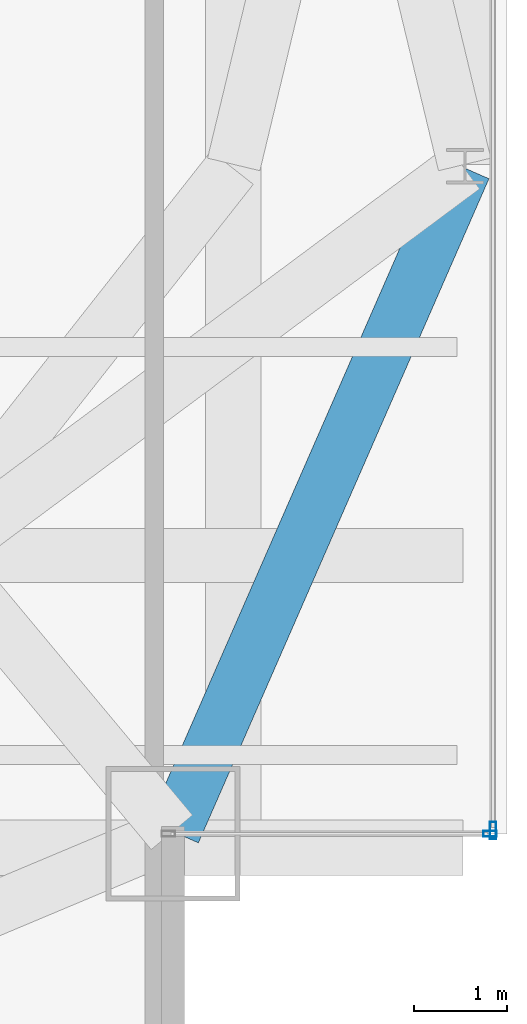
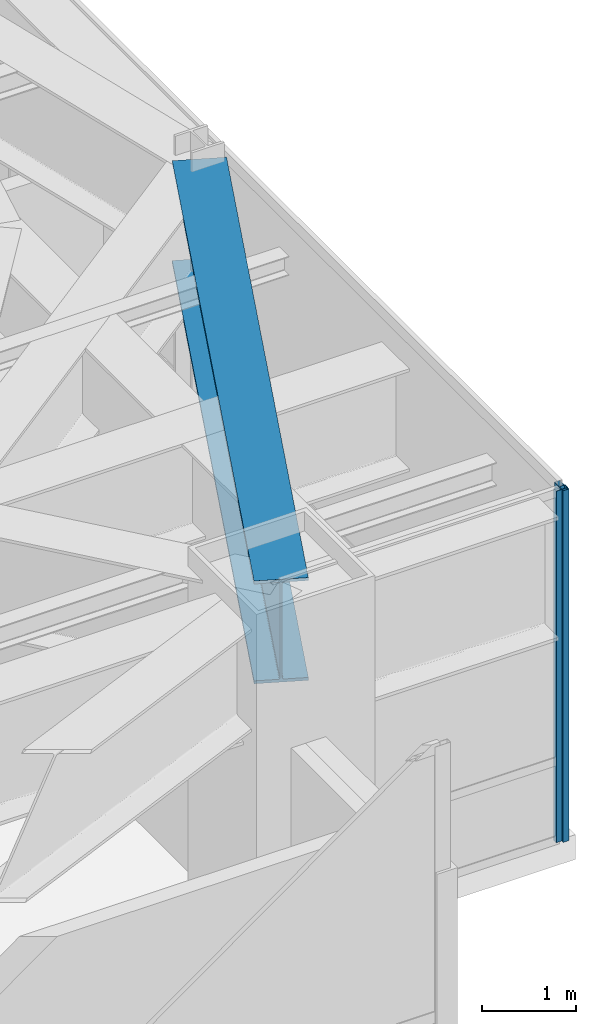
# One storey, part 16 of 32: 2 members, 1 beam, 2 elements without a shape of their own.
"""IFC4 building model written with IfcOpenShell, lengths in metres."""

from ifc_helpers import new_model, si_unit, direction, frame, origin, origin_2d, place, context, subcontext, project, spatial, hollow_rectangle, i_section, extrude, source, transform, mapped, material, layer, layer_set, material_profile, profile_set, type_object, type_shapes, element, aggregate, save


model = new_model("IFC4")

# Units and contexts
model_context = context("Model", 3, precision=1e-05, world=origin(), true_north=direction((0.0, 1.0)))
body_context = subcontext(model_context, "Body", "Model", "MODEL_VIEW")
ifc_project = project(units=[si_unit("LENGTHUNIT", "METRE"), si_unit("AREAUNIT", "SQUARE_METRE"), si_unit("VOLUMEUNIT", "CUBIC_METRE"), si_unit("PLANEANGLEUNIT", "RADIAN"), si_unit("MASSUNIT", "GRAM", prefix="KILO")], contexts=[model_context])

# Site, building, storey
site_placement = place(None, origin())
site = spatial("IfcSite", under=ifc_project, at=site_placement, CompositionType="ELEMENT")
building_placement = place(site_placement, origin())
building = spatial("IfcBuilding", under=site, at=building_placement, Name="Varnel Quay Broadcast Tower", CompositionType="ELEMENT")
storey_placement = place(building_placement, frame((0.0, 0.0, 141.0)))
storey = spatial("IfcBuildingStorey", under=building, at=storey_placement, Name="L34", CompositionType="ELEMENT", Elevation=141.0)

# Beam
ifc_material_1 = material(Name="Structural Steel CSA G40.21 350WT", Category="steel")
ifc_material_profile_1 = material_profile(ifc_material_1, i_section(OverallWidth=0.580078125, OverallDepth=1.330078125, WebThickness=0.02197265625, FlangeThickness=0.0380859375, FilletRadius=0.02001953125, at=origin_2d()), Name="WWF1330X535")
ifc_profile_set_1 = profile_set([ifc_material_profile_1], Name="Structural Steel CSA G40.21 350WT")
beam_type = type_object("IfcBeamType", Name="Girder_WWF1330X535", PredefinedType="BEAM", material=ifc_profile_set_1)
shared_shape_1 = source(origin(), body_context, "Body", "SweptSolid", [
    extrude(i_section(OverallWidth=0.580078125, OverallDepth=1.330078125, WebThickness=0.02197265625, FlangeThickness=0.0380859375, FilletRadius=0.02001953125, at=origin_2d()), origin(), (0.0, 0.0, 1.0), 7.81884765625),
])
type_shapes(beam_type, [shared_shape_1])
beam_placement = place(storey_placement, frame((59.907958984375, 7.818359375, 3.885009765625), z_axis=(0.400827023998, 0.916153751743, 0.0), x_axis=(-0.916153751743, 0.400827023998, 0.0)))
element("IfcBeam", 1, at=beam_placement, inside=storey, type_object=beam_type, Name="L34 East Transfer Spine MC-SE-TC-E1", PredefinedType="BEAM", context=body_context, shape_type="MappedRepresentation", body=[
    mapped(shared_shape_1, transform((0.0, 0.0, 0.0), x_axis=(1.0, 0.0, 0.0), y_axis=(0.0, 1.0, 0.0), z_axis=(0.0, 0.0, 1.0), scale=1.0)),
])

# Curtain wall, member
ifc_material_2 = material(Name="Anodised Bronze Aluminium 6063-T6", Category="aluminium")
ifc_layer_1 = layer(ifc_material_2, 0.18994140625, Name="Anodised Bronze Aluminium 6063-T6")
ifc_layer_set_1 = layer_set([ifc_layer_1], Name="Anodised Bronze Aluminium 6063-T6")
curtain_wall_type_1 = type_object("IfcCurtainWallType", Name="CW_LowerTower", PredefinedType="NOTDEFINED", material=ifc_layer_set_1)
curtain_wall_1_placement = place(storey_placement, origin())
curtain_wall_1 = element("IfcCurtainWall", 2, at=curtain_wall_1_placement, inside=storey, type_object=curtain_wall_type_1, Name="L34 East Unitised Curtain Wall", PredefinedType="NOTDEFINED")
ifc_material_profile_2 = material_profile(ifc_material_2, hollow_rectangle(XDim=0.070068359375, YDim=0.18994140625, WallThickness=0.00390625, at=origin_2d()), Name="ALU70X190X4")
ifc_profile_set_2 = profile_set([ifc_material_profile_2], Name="Anodised Bronze Aluminium 6063-T6")
member_type_1 = type_object("IfcMemberType", Name="Mull_CWS-02", PredefinedType="MULLION", material=ifc_profile_set_2)
shared_shape_2 = source(origin(), body_context, "Body", "SweptSolid", [
    extrude(hollow_rectangle(XDim=0.070068359375, YDim=0.18994140625, WallThickness=0.00390625, at=origin_2d()), origin(), (0.0, 0.0, 1.0), 4.550048828125),
])
type_shapes(member_type_1, [shared_shape_2])
member_1_placement = place(storey_placement, frame((63.35009765625, 7.8349609375, 0.0), z_axis=(0.0, 0.0, 1.0), x_axis=(-1.0, 0.0, 0.0)))
member_1 = element("IfcMember", 3, at=member_1_placement, type_object=member_type_1, Name="CWS-02 mullion 1", PredefinedType="MULLION", context=body_context, shape_type="MappedRepresentation", body=[
    mapped(shared_shape_2, transform((0.0, 0.0, 0.0), x_axis=(1.0, 0.0, 0.0), y_axis=(0.0, 1.0, 0.0), z_axis=(0.0, 0.0, 1.0), scale=1.0)),
])
aggregate(curtain_wall_1, [member_1])

ifc_layer_2 = layer(ifc_material_2, 0.18994140625, Name="Anodised Bronze Aluminium 6063-T6")
ifc_layer_set_2 = layer_set([ifc_layer_2], Name="Anodised Bronze Aluminium 6063-T6")
curtain_wall_type_2 = type_object("IfcCurtainWallType", Name="CW_NotchCorner", PredefinedType="NOTDEFINED", material=ifc_layer_set_2)
curtain_wall_2_placement = place(storey_placement, origin())
curtain_wall_2 = element("IfcCurtainWall", 4, at=curtain_wall_2_placement, inside=storey, type_object=curtain_wall_type_2, Name="L34 SE Notch Curtain Wall", PredefinedType="NOTDEFINED")
ifc_material_profile_3 = material_profile(ifc_material_2, hollow_rectangle(XDim=0.06005859375, YDim=0.14501953125, WallThickness=0.00341796875, at=origin_2d()), Name="ALU60X145X3.5")
ifc_profile_set_3 = profile_set([ifc_material_profile_3], Name="Anodised Bronze Aluminium 6063-T6")
member_type_2 = type_object("IfcMemberType", Name="Mull_CWS-04", PredefinedType="MULLION", material=ifc_profile_set_3)
shared_shape_3 = source(origin(), body_context, "Body", "SweptSolid", [
    extrude(hollow_rectangle(XDim=0.06005859375, YDim=0.14501953125, WallThickness=0.00341796875, at=origin_2d()), origin(), (0.0, 0.0, 1.0), 4.550048828125),
])
type_shapes(member_type_2, [shared_shape_3])
member_2_placement = place(storey_placement, frame((63.320068359375, 7.800048828125, 0.0), z_axis=(0.0, 0.0, 1.0), x_axis=(0.0, 1.0, 0.0)))
member_2 = element("IfcMember", 5, at=member_2_placement, type_object=member_type_2, Name="CWS-04 mullion 2", PredefinedType="MULLION", context=body_context, shape_type="MappedRepresentation", body=[
    mapped(shared_shape_3, transform((0.0, 0.0, 0.0), x_axis=(1.0, 0.0, 0.0), y_axis=(0.0, 1.0, 0.0), z_axis=(0.0, 0.0, 1.0), scale=1.0)),
])
aggregate(curtain_wall_2, [member_2])

save(model, "model.ifc")
